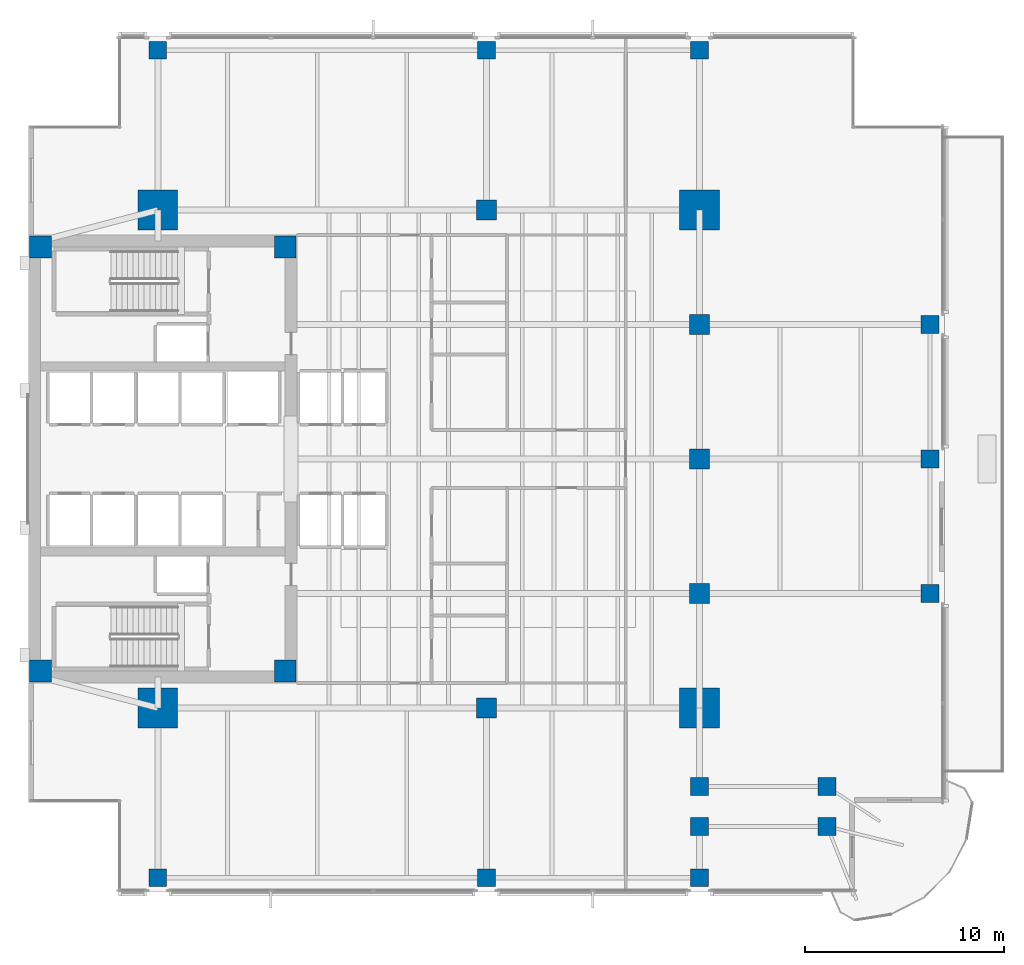
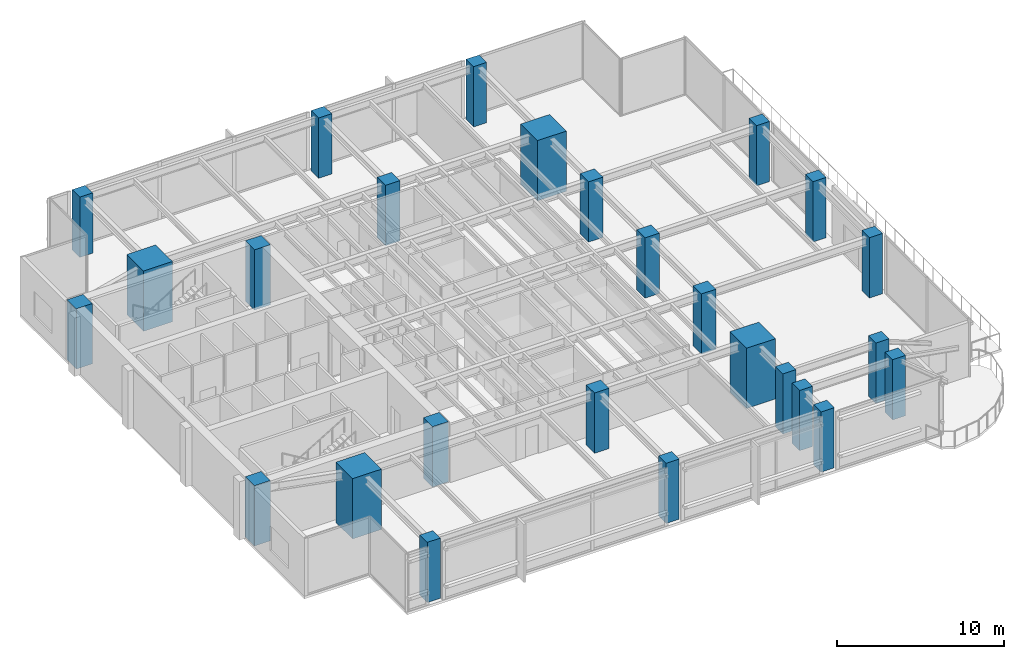
# One storey, part 1 of 14: 26 columns.
"""IFC4 building model written with IfcOpenShell, lengths in metres."""

from ifc_helpers import new_model, si_unit, direction, frame, origin, origin_2d, place, context, subcontext, project, spatial, rectangle, extrude, material, material_profile, profile_set, type_object, element, save


model = new_model("IFC4")

# Units and contexts
model_context = context("Model", 3, precision=1e-05, world=origin(), true_north=direction((0.0, 1.0)))
body_context = subcontext(model_context, "Body", "Model", "MODEL_VIEW")
ifc_project = project(units=[si_unit("LENGTHUNIT", "METRE"), si_unit("AREAUNIT", "SQUARE_METRE"), si_unit("VOLUMEUNIT", "CUBIC_METRE"), si_unit("PLANEANGLEUNIT", "RADIAN"), si_unit("MASSUNIT", "GRAM", prefix="KILO")], contexts=[model_context])

# Site, building, storey
site_placement = place(None, origin())
site = spatial("IfcSite", under=ifc_project, at=site_placement, CompositionType="ELEMENT")
building_placement = place(site_placement, origin())
building = spatial("IfcBuilding", under=site, at=building_placement, Name="Kinhvarn Gate Tower", CompositionType="ELEMENT")
storey_placement = place(building_placement, frame((0.0, 0.0, 97.85009765625)))
storey = spatial("IfcBuildingStorey", under=building, at=storey_placement, Name="L25", CompositionType="ELEMENT", Elevation=97.85009765625)

# Columns
ifc_material = material(Name="Concrete C60/75", Category="concrete")
ifc_material_profile_1 = material_profile(ifc_material, rectangle(XDim=2.0, YDim=2.0, at=origin_2d()), Name="RC 2000x2000")
ifc_profile_set_1 = profile_set([ifc_material_profile_1], Name="Concrete C60/75")
column_type_1 = type_object("IfcColumnType", Name="COL-MC-2000", PredefinedType="COLUMN", material=ifc_profile_set_1)
for number, where, z_axis, x_axis, name in (
    (1, (11.0, 12.75, 0.0), (0.0, 0.0, 1.0), (1.0, 0.0, 0.0), "Column MC1-L25 (MC-20)"),
    (2, (11.0, 37.75, 0.0), (0.0, 0.0, 1.0), (1.0, 0.0, 0.0), "Column MC4-L25 (MC-20)"),
    (3, (38.199951171875, 12.75, 0.0), (0.0, 0.0, 1.0), (1.0, 0.0, 0.0), "Column MC2-L25 (MC-20)"),
    (4, (38.199951171875, 37.75, 0.0), (0.0, 0.0, 1.0), (1.0, 0.0, 0.0), "Column MC3-L25 (MC-20)"),
):
    element("IfcColumn", number, at=place(storey_placement, frame(where, z_axis=z_axis, x_axis=x_axis)), inside=storey, type_object=column_type_1, Name=name, PredefinedType="COLUMN", context=body_context, shape_type="SweptSolid", body=[
        extrude(rectangle(XDim=2.0, YDim=2.0, at=origin_2d()), origin(), (0.0, 0.0, 1.0), 4.39990234375),
    ])
ifc_material_profile_2 = material_profile(ifc_material, rectangle(XDim=1.0, YDim=1.0, at=origin_2d()), Name="RC 1000x1000")
ifc_profile_set_2 = profile_set([ifc_material_profile_2], Name="Concrete C60/75")
column_type_2 = type_object("IfcColumnType", Name="COL-RC-1000", PredefinedType="COLUMN", material=ifc_profile_set_2)
for number, where, z_axis, x_axis, name in (
    (5, (27.5, 12.75, 0.0), (0.0, 0.0, 1.0), (1.0, 0.0, 0.0), "Column SP27-S-L25 (C-100)"),
    (6, (27.5, 37.75, 0.0), (0.0, 0.0, 1.0), (1.0, 0.0, 0.0), "Column SP27-N-L25 (C-100)"),
    (7, (38.199951171875, 18.5, 0.0), (0.0, 0.0, 1.0), (1.0, 0.0, 0.0), "Column SP38-E1-L25 (C-100)"),
    (8, (38.199951171875, 25.25, 0.0), (0.0, 0.0, 1.0), (1.0, 0.0, 0.0), "Column SP38-E2-L25 (C-100)"),
    (9, (38.199951171875, 32.0, 0.0), (0.0, 0.0, 1.0), (1.0, 0.0, 0.0), "Column SP38-E3-L25 (C-100)"),
):
    element("IfcColumn", number, at=place(storey_placement, frame(where, z_axis=z_axis, x_axis=x_axis)), inside=storey, type_object=column_type_2, Name=name, PredefinedType="COLUMN", context=body_context, shape_type="SweptSolid", body=[
        extrude(rectangle(XDim=1.0, YDim=1.0, at=origin_2d()), origin(), (0.0, 0.0, 1.0), 4.39990234375),
    ])
ifc_material_profile_3 = material_profile(ifc_material, rectangle(XDim=0.89990234375, YDim=0.89990234375, at=origin_2d()), Name="RC 900x900")
ifc_profile_set_3 = profile_set([ifc_material_profile_3], Name="Concrete C60/75")
column_type_3 = type_object("IfcColumnType", Name="COL-RC-900", PredefinedType="COLUMN", material=ifc_profile_set_3)
for number, where, z_axis, x_axis, name in (
    (10, (38.199951171875, 6.800048828125, 0.0), (0.0, 0.0, 1.0), (1.0, 0.0, 0.0), "Column CS-ANC68-L25 (C-090)"),
    (11, (38.199951171875, 8.800048828125, 0.0), (0.0, 0.0, 1.0), (1.0, 0.0, 0.0), "Column CS-ANC88-L25 (C-090)"),
    (12, (44.6201171875, 6.800048828125, 0.0), (0.0, 0.0, 1.0), (1.0, 0.0, 0.0), "Column CS-SE2-L25 (C-090)"),
    (13, (44.6201171875, 8.800048828125, 0.0), (0.0, 0.0, 1.0), (1.0, 0.0, 0.0), "Column CS-SE2B-L25 (C-090)"),
    (14, (49.780029296875, 18.5, 0.0), (0.0, 0.0, 1.0), (1.0, 0.0, 0.0), "Column CE-1-L25 (C-090)"),
    (15, (49.780029296875, 25.25, 0.0), (0.0, 0.0, 1.0), (1.0, 0.0, 0.0), "Column CE-2-L25 (C-090)"),
    (16, (49.780029296875, 32.0, 0.0), (0.0, 0.0, 1.0), (1.0, 0.0, 0.0), "Column CE-3-L25 (C-090)"),
    (17, (11.0, 4.219970703125, 0.0), (0.0, 0.0, 1.0), (1.0, 0.0, 0.0), "Column CS-0-L25 (C-090)"),
    (18, (27.5, 4.219970703125, 0.0), (0.0, 0.0, 1.0), (1.0, 0.0, 0.0), "Column CS-1-L25 (C-090)"),
    (19, (38.199951171875, 4.219970703125, 0.0), (0.0, 0.0, 1.0), (1.0, 0.0, 0.0), "Column CS-2-L25 (C-090)"),
    (20, (11.0, 45.780029296875, 0.0), (0.0, 0.0, 1.0), (1.0, 0.0, 0.0), "Column CN-0-L25 (C-090)"),
    (21, (27.5, 45.780029296875, 0.0), (0.0, 0.0, 1.0), (1.0, 0.0, 0.0), "Column CN-1-L25 (C-090)"),
    (22, (38.199951171875, 45.780029296875, 0.0), (0.0, 0.0, 1.0), (1.0, 0.0, 0.0), "Column CN-2-L25 (C-090)"),
):
    element("IfcColumn", number, at=place(storey_placement, frame(where, z_axis=z_axis, x_axis=x_axis)), inside=storey, type_object=column_type_3, Name=name, PredefinedType="COLUMN", context=body_context, shape_type="SweptSolid", body=[
        extrude(rectangle(XDim=0.89990234375, YDim=0.89990234375, at=origin_2d()), origin(), (0.0, 0.0, 1.0), 4.39990234375),
    ])
ifc_material_profile_4 = material_profile(ifc_material, rectangle(XDim=1.10009765625, YDim=1.10009765625, at=origin_2d()), Name="RC 1100x1100")
ifc_profile_set_4 = profile_set([ifc_material_profile_4], Name="Concrete C60/75")
column_type_4 = type_object("IfcColumnType", Name="PIL-RC-1100", PredefinedType="PILASTER", material=ifc_profile_set_4)
for number, where, z_axis, x_axis, name in (
    (23, (5.10009765625, 14.60009765625, 0.0), (0.0, 0.0, 1.0), (1.0, 0.0, 0.0), "Column CC-SW-L25 (CP-110)"),
    (24, (5.10009765625, 35.89990234375, 0.0), (0.0, 0.0, 1.0), (1.0, 0.0, 0.0), "Column CC-NW-L25 (CP-110)"),
    (25, (17.39990234375, 14.60009765625, 0.0), (0.0, 0.0, 1.0), (1.0, 0.0, 0.0), "Column CC-SE-L25 (CP-110)"),
    (26, (17.39990234375, 35.89990234375, 0.0), (0.0, 0.0, 1.0), (1.0, 0.0, 0.0), "Column CC-NE-L25 (CP-110)"),
):
    element("IfcColumn", number, at=place(storey_placement, frame(where, z_axis=z_axis, x_axis=x_axis)), inside=storey, type_object=column_type_4, Name=name, PredefinedType="PILASTER", context=body_context, shape_type="SweptSolid", body=[
        extrude(rectangle(XDim=1.10009765625, YDim=1.10009765625, at=origin_2d()), origin(), (0.0, 0.0, 1.0), 4.39990234375),
    ])

save(model, "model.ifc")
